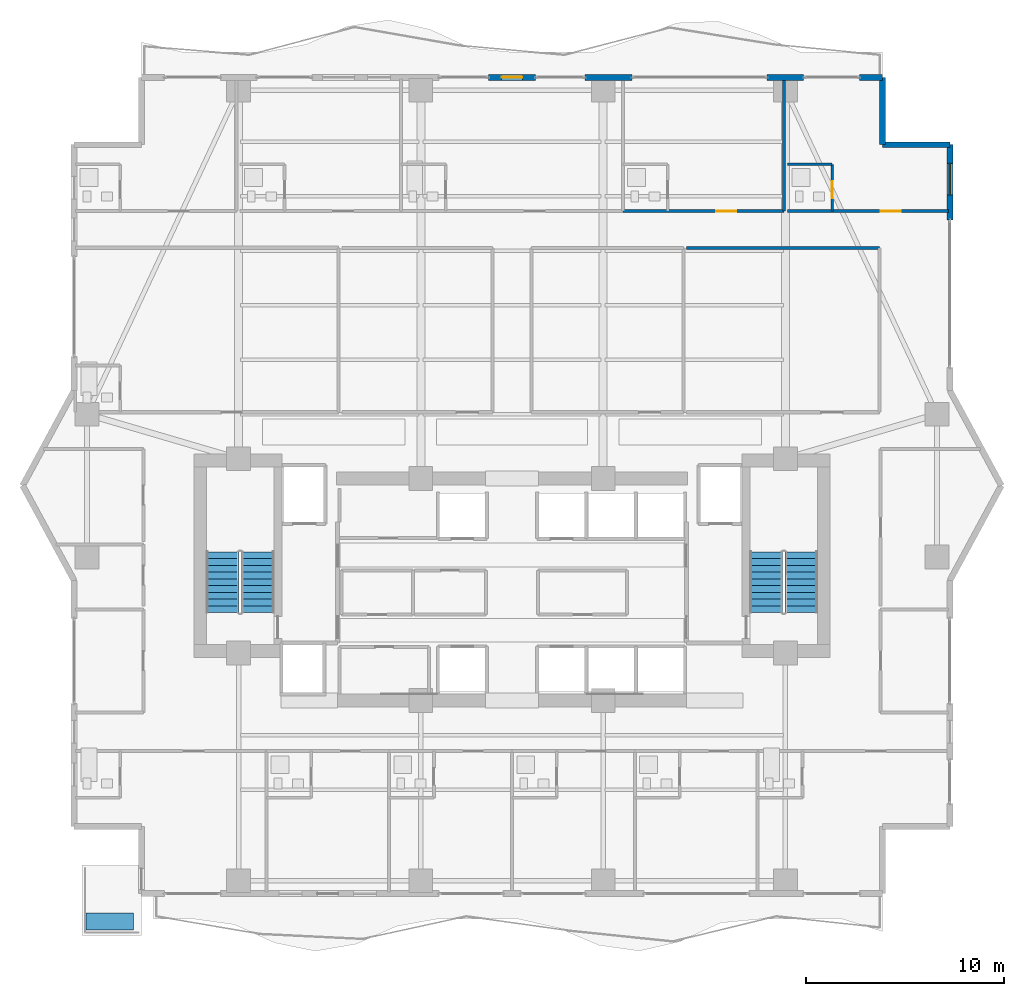
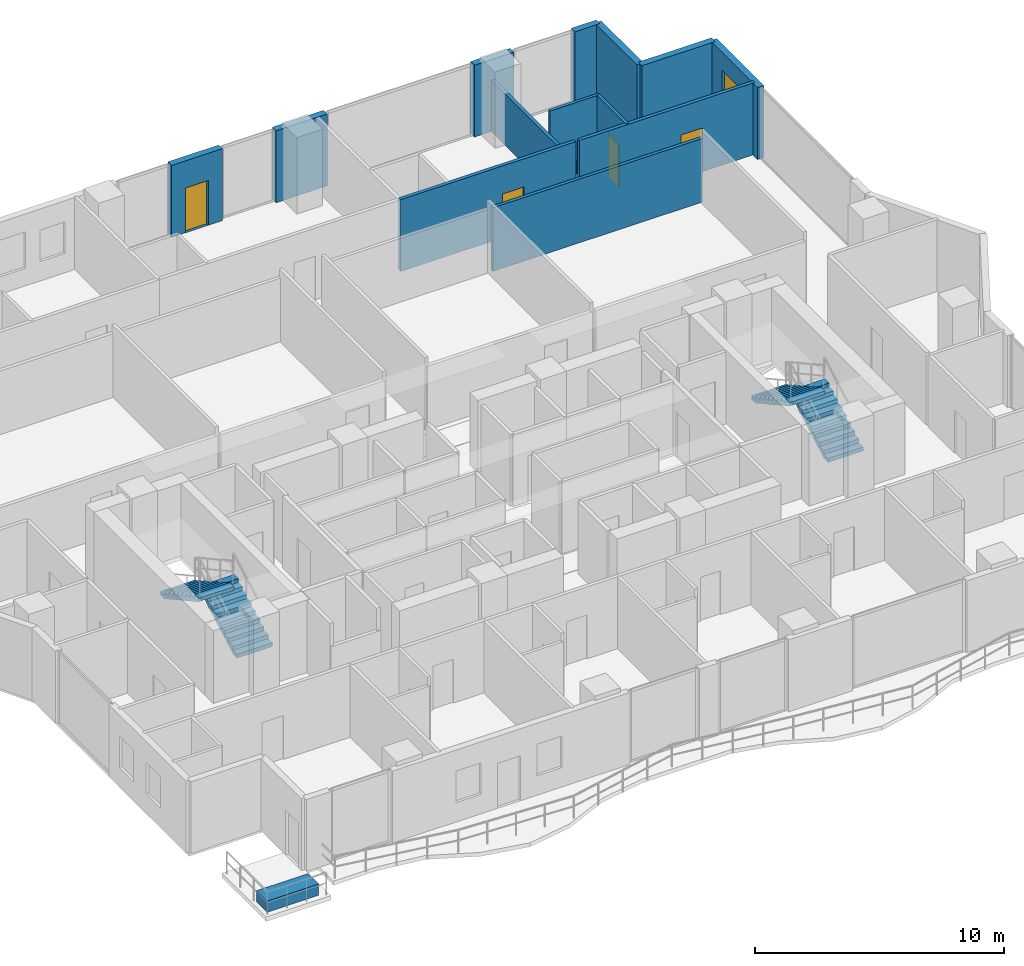
# One storey, part 28 of 32: 13 walls, 4 doors, 4 stair flights, 1 building element part, 1 window, 5 openings, 2 elements without a shape of their own.
"""IFC4 building model written with IfcOpenShell, lengths in metres."""

from ifc_helpers import new_model, si_unit, direction, frame, frame_2d, origin, origin_2d, place, context, subcontext, project, spatial, polyline, rectangle, outline, extrude, material, layer, layer_set, type_object, element, fill, aggregate, save


model = new_model("IFC4")

# Units and contexts
model_context = context("Model", 3, precision=1e-05, world=origin(), true_north=direction((0.0, 1.0)))
body_context = subcontext(model_context, "Body", "Model", "MODEL_VIEW")
ifc_project = project(units=[si_unit("LENGTHUNIT", "METRE"), si_unit("AREAUNIT", "SQUARE_METRE"), si_unit("VOLUMEUNIT", "CUBIC_METRE"), si_unit("PLANEANGLEUNIT", "RADIAN"), si_unit("MASSUNIT", "GRAM", prefix="KILO")], contexts=[model_context])

# Site, building, storey
site_placement = place(None, origin())
site = spatial("IfcSite", under=ifc_project, at=site_placement, CompositionType="ELEMENT")
building_placement = place(site_placement, origin())
building = spatial("IfcBuilding", under=site, at=building_placement, Name="Zuhayl Quay Hotel", CompositionType="ELEMENT")
storey_placement = place(building_placement, frame((0.0, 0.0, 188.64990234375)))
storey = spatial("IfcBuildingStorey", under=building, at=storey_placement, Name="L47", CompositionType="ELEMENT", Elevation=188.64990234375)

# Wall, opening, door
ifc_material_1 = material(Name="Precast concrete C45/55", Category="concrete")
ifc_layer_1 = layer(ifc_material_1, 0.300048828125, Name="Precast concrete C45/55", Category="concrete")
ifc_layer_set_1 = layer_set([ifc_layer_1], Name="Precast concrete C45/55")
wall_type_1 = type_object("IfcWallType", Name="WL_EXT_300", PredefinedType="STANDARD", material=ifc_layer_set_1)
wall_1_placement = place(storey_placement, frame((-1.175048828125, 33.60009765625, 0.0), z_axis=(0.0, 0.0, 1.0), x_axis=(1.0, 0.0, 0.0)))
wall_1 = element("IfcWall", 1, at=wall_1_placement, inside=storey, type_object=wall_type_1, Name="L47 Exterior Precast Wall ENV_L47_N_EW4", PredefinedType="STANDARD", context=body_context, shape_type="SweptSolid", body=[
    extrude(rectangle(XDim=2.35009765625, YDim=0.300048828125, at=frame_2d((1.175048828125, 0.0))), origin(), (0.0, 0.0, 1.0), 3.530029296875),
])
opening_1_placement = place(wall_1_placement, frame((0.64990234375, 0.0, 0.0)))
opening_1 = element("IfcOpeningElement", 2, at=opening_1_placement, cuts=wall_1, Name="Opening DG1", PredefinedType="OPENING", context=body_context, shape_type="SweptSolid", body=[
    extrude(rectangle(XDim=1.050048828125, YDim=2.199951171875, at=frame_2d((0.52490234375, 1.10009765625))), frame((0.0, 0.159912109375, 0.0), z_axis=(0.0, -1.0, 0.0), x_axis=(1.0, 0.0, 0.0)), (0.0, 0.0, 1.0), 0.320068359375),
])
ifc_material_2 = material(Name="Anodised Aluminium and Dark Solar Glass", Category="aluminium")
door_type_1 = type_object("IfcDoorType", Name="DR_EXT_TERR_1050", OperationType="NOTDEFINED", PredefinedType="DOOR", material=ifc_material_2)
door_1_placement = place(opening_1_placement, origin())
door_1 = element("IfcDoor", 3, at=door_1_placement, inside=storey, type_object=door_type_1, Name="L47 North Rippling Balcony Door", OperationType="SINGLE_SWING_LEFT", OverallHeight=2.199951171875, OverallWidth=1.050048828125, PredefinedType="DOOR", context=body_context, shape_type="SweptSolid", body=[
    extrude(rectangle(XDim=1.050048828125, YDim=2.199951171875, at=frame_2d((0.52490234375, 1.10009765625))), frame((0.0, 0.02490234375, 0.0), z_axis=(0.0, -1.0, 0.0), x_axis=(1.0, 0.0, 0.0)), (0.0, 0.0, 1.0), 0.050048828125),
])
fill(opening_1, door_1)

# Walls
wall_2_placement = place(storey_placement, frame((3.679931640625, 33.60009765625, 0.0), z_axis=(0.0, 0.0, 1.0), x_axis=(1.0, 0.0, 0.0)))
element("IfcWall", 4, at=wall_2_placement, inside=storey, type_object=wall_type_1, Name="L47 Exterior Precast Wall ENV_L47_N_EW5", PredefinedType="STANDARD", context=body_context, shape_type="SweptSolid", body=[
    extrude(rectangle(XDim=2.3701171875, YDim=0.300048828125, at=frame_2d((1.18505859375, 0.0))), origin(), (0.0, 0.0, 1.0), 3.530029296875),
])
wall_3_placement = place(storey_placement, frame((12.8798828125, 33.60009765625, 0.0), z_axis=(0.0, 0.0, 1.0), x_axis=(1.0, 0.0, 0.0)))
element("IfcWall", 5, at=wall_3_placement, inside=storey, type_object=wall_type_1, Name="L47 Exterior Precast Wall ENV_L47_N_EW6", PredefinedType="STANDARD", context=body_context, shape_type="SweptSolid", body=[
    extrude(rectangle(XDim=1.840087890625, YDim=0.300048828125, at=frame_2d((0.919921875, 0.0))), origin(), (0.0, 0.0, 1.0), 3.530029296875),
])
wall_4_placement = place(storey_placement, frame((17.550048828125, 33.60009765625, 0.0), z_axis=(0.0, 0.0, 1.0), x_axis=(1.0, 0.0, 0.0)))
element("IfcWall", 6, at=wall_4_placement, inside=storey, type_object=wall_type_1, Name="L47 Exterior Precast Wall ENV_L47_N_EW7", PredefinedType="STANDARD", context=body_context, shape_type="SweptSolid", body=[
    extrude(rectangle(XDim=1.14990234375, YDim=0.300048828125, at=frame_2d((0.574951171875, 0.0))), origin(), (0.0, 0.0, 1.0), 3.530029296875),
])
for number, where, z_axis, x_axis, name in (
    (7, (18.699951171875, 33.60009765625, 0.0), (0.0, 0.0, 1.0), (0.0, -1.0, 0.0), "L47 Exterior Precast Wall ENV_L47_EW09"),
    (8, (18.699951171875, 30.199951171875, 0.0), (0.0, 0.0, 1.0), (1.0, 0.0, 0.0), "L47 Exterior Precast Wall ENV_L47_EW10"),
):
    element("IfcWall", number, at=place(storey_placement, frame(where, z_axis=z_axis, x_axis=x_axis)), inside=storey, type_object=wall_type_1, Name=name, PredefinedType="STANDARD", context=body_context, shape_type="SweptSolid", body=[
        extrude(rectangle(XDim=3.400146484375, YDim=0.300048828125, at=frame_2d((1.7001953125, 0.0))), origin(), (0.0, 0.0, 1.0), 3.530029296875),
    ])

# Wall, opening, window
wall_5_placement = place(storey_placement, frame((22.10009765625, 30.199951171875, 0.0), z_axis=(0.0, 0.0, 1.0), x_axis=(0.0, -1.0, 0.0)))
wall_5 = element("IfcWall", 9, at=wall_5_placement, inside=storey, type_object=wall_type_1, Name="L47 Exterior Precast Wall ENV_L47_E11_EW1", PredefinedType="STANDARD", context=body_context, shape_type="SweptSolid", body=[
    extrude(rectangle(XDim=3.800048828125, YDim=0.300048828125, at=frame_2d((1.89990234375, 0.0))), origin(), (0.0, 0.0, 1.0), 3.530029296875),
])
opening_2_placement = place(wall_5_placement, frame((0.93505859375, 0.0, 0.85009765625)))
opening_2 = element("IfcOpeningElement", 10, at=opening_2_placement, cuts=wall_5, Name="Opening W01", PredefinedType="OPENING", context=body_context, shape_type="SweptSolid", body=[
    extrude(rectangle(XDim=1.60009765625, YDim=1.800048828125, at=frame_2d((0.800048828125, 0.89990234375))), frame((0.0, 0.159912109375, 0.0), z_axis=(0.0, -1.0, 0.0), x_axis=(1.0, 0.0, 0.0)), (0.0, 0.0, 1.0), 0.320068359375),
])
ifc_material_3 = material(Name="Dark Ceramic-Fritted Solar Glass", Category="glass")
window_type = type_object("IfcWindowType", Name="WN_OPERABLE_1600", PartitioningType="DOUBLE_PANEL_VERTICAL", PredefinedType="WINDOW", material=ifc_material_3)
window_placement = place(opening_2_placement, origin())
window = element("IfcWindow", 11, at=window_placement, inside=storey, type_object=window_type, Name="L47 Operable Facade Window 1-1", OverallHeight=1.800048828125, OverallWidth=1.60009765625, PartitioningType="SINGLE_PANEL", PredefinedType="WINDOW", context=body_context, shape_type="SweptSolid", body=[
    extrude(rectangle(XDim=1.60009765625, YDim=1.800048828125, at=frame_2d((0.800048828125, 0.89990234375))), frame((0.0, 0.030029296875, 0.0), z_axis=(0.0, -1.0, 0.0), x_axis=(1.0, 0.0, 0.0)), (0.0, 0.0, 1.0), 0.06005859375),
])
fill(opening_2, window)

# Walls
ifc_material_4 = material(Name="Acoustic Gypsum Partition STC-58")
ifc_layer_2 = layer(ifc_material_4, 0.14990234375, Name="Acoustic Gypsum Partition STC-58")
ifc_layer_set_2 = layer_set([ifc_layer_2], Name="Acoustic Gypsum Partition STC-58")
wall_type_2 = type_object("IfcWallType", Name="WL_PART_150", PredefinedType="PARTITIONING", material=ifc_layer_set_2)
wall_6_placement = place(storey_placement, frame((13.739990234375, 26.85009765625, 0.0), z_axis=(0.0, 0.0, 1.0), x_axis=(0.0, 1.0, 0.0)))
element("IfcWall", 12, at=wall_6_placement, inside=storey, type_object=wall_type_2, Name="L47 Partition IW_L47_NU03A_E", PredefinedType="PARTITIONING", context=body_context, shape_type="SweptSolid", body=[
    extrude(rectangle(XDim=6.669921875, YDim=0.14990234375, at=frame_2d((3.3349609375, 0.0))), origin(), (0.0, 0.0, 1.0), 2.51904296875),
])
wall_7_placement = place(storey_placement, frame((8.81005859375, 25.0, 0.0), z_axis=(0.0, 0.0, 1.0), x_axis=(1.0, 0.0, 0.0)))
element("IfcWall", 13, at=wall_7_placement, inside=storey, type_object=wall_type_2, Name="L47 Partition IW_L47_Z3_SAL_E2_N", PredefinedType="PARTITIONING", context=body_context, shape_type="SweptSolid", body=[
    extrude(rectangle(XDim=9.739990234375, YDim=0.14990234375, at=frame_2d((4.8701171875, 0.0))), origin(), (0.0, 0.0, 1.0), 3.1240234375),
])

# Wall, opening, door
ifc_layer_3 = layer(ifc_material_4, 0.159912109375, Name="Acoustic Gypsum Partition STC-58")
ifc_layer_set_3 = layer_set([ifc_layer_3], Name="Acoustic Gypsum Partition STC-58")
wall_type_3 = type_object("IfcWallType", Name="WL_PART_CORR_160", PredefinedType="PARTITIONING", material=ifc_layer_set_3)
wall_8_placement = place(storey_placement, frame((5.60009765625, 26.85009765625, 0.0), z_axis=(0.0, 0.0, 1.0), x_axis=(1.0, 0.0, 0.0)))
wall_8 = element("IfcWall", 14, at=wall_8_placement, inside=storey, type_object=wall_type_3, Name="L47 Partition IW_L47_NU03A_COR", PredefinedType="PARTITIONING", context=body_context, shape_type="SweptSolid", body=[
    extrude(rectangle(XDim=8.139892578125, YDim=0.159912109375, at=frame_2d((4.06982421875, 0.0))), origin(), (0.0, 0.0, 1.0), 3.530029296875),
])
opening_3_placement = place(wall_8_placement, frame((4.719970703125, 0.0, 0.0)))
opening_3 = element("IfcOpeningElement", 15, at=opening_3_placement, cuts=wall_8, Name="Opening D03L", PredefinedType="OPENING", context=body_context, shape_type="SweptSolid", body=[
    extrude(rectangle(XDim=1.0, YDim=2.14990234375, at=frame_2d((0.5, 1.074951171875))), frame((0.0, 0.08984375, 0.0), z_axis=(0.0, -1.0, 0.0), x_axis=(1.0, 0.0, 0.0)), (0.0, 0.0, 1.0), 0.179931640625),
])
ifc_material_5 = material(Name="Solid Walnut Acoustic Fire Door")
door_type_2 = type_object("IfcDoorType", Name="DR_SUITE_1000", OperationType="NOTDEFINED", PredefinedType="DOOR", material=ifc_material_5)
door_2_placement = place(opening_3_placement, origin())
door_2 = element("IfcDoor", 16, at=door_2_placement, inside=storey, type_object=door_type_2, Name="L47 Panoramic Gulf Suite L47-03A Entrance Door", OperationType="SINGLE_SWING_RIGHT", OverallHeight=2.14990234375, OverallWidth=1.0, PredefinedType="DOOR", context=body_context, shape_type="SweptSolid", body=[
    extrude(rectangle(XDim=1.0, YDim=2.14990234375, at=frame_2d((0.5, 1.074951171875))), frame((0.0, 0.02490234375, 0.0), z_axis=(0.0, -1.0, 0.0), x_axis=(1.0, 0.0, 0.0)), (0.0, 0.0, 1.0), 0.050048828125),
])
fill(opening_3, door_2)

wall_9_placement = place(storey_placement, frame((13.89990234375, 26.85009765625, 0.0), z_axis=(0.0, 0.0, 1.0), x_axis=(1.0, 0.0, 0.0)))
wall_9 = element("IfcWall", 17, at=wall_9_placement, inside=storey, type_object=wall_type_3, Name="L47 Partition IW_L47_NU03B_COR", PredefinedType="PARTITIONING", context=body_context, shape_type="SweptSolid", body=[
    extrude(rectangle(XDim=8.14013671875, YDim=0.159912109375, at=frame_2d((4.070068359375, 0.0))), origin(), (0.0, 0.0, 1.0), 3.530029296875),
])
opening_4_placement = place(wall_9_placement, frame((4.719970703125, 0.0, 0.0)))
opening_4 = element("IfcOpeningElement", 18, at=opening_4_placement, cuts=wall_9, Name="Opening D03L", PredefinedType="OPENING", context=body_context, shape_type="SweptSolid", body=[
    extrude(rectangle(XDim=1.0, YDim=2.14990234375, at=frame_2d((0.5, 1.074951171875))), frame((0.0, 0.08984375, 0.0), z_axis=(0.0, -1.0, 0.0), x_axis=(1.0, 0.0, 0.0)), (0.0, 0.0, 1.0), 0.179931640625),
])
door_3_placement = place(opening_4_placement, origin())
door_3 = element("IfcDoor", 19, at=door_3_placement, inside=storey, type_object=door_type_2, Name="L47 Panoramic Gulf Suite L47-03B Entrance Door", OperationType="SINGLE_SWING_RIGHT", OverallHeight=2.14990234375, OverallWidth=1.0, PredefinedType="DOOR", context=body_context, shape_type="SweptSolid", body=[
    extrude(rectangle(XDim=1.0, YDim=2.14990234375, at=frame_2d((0.5, 1.074951171875))), frame((0.0, 0.02490234375, 0.0), z_axis=(0.0, -1.0, 0.0), x_axis=(1.0, 0.0, 0.0)), (0.0, 0.0, 1.0), 0.050048828125),
])
fill(opening_4, door_3)

ifc_material_6 = material(Name="Moisture-Resistant Sanitarychase Gypsum")
ifc_layer_4 = layer(ifc_material_6, 0.135009765625, Name="Moisture-Resistant Sanitarychase Gypsum")
ifc_layer_set_4 = layer_set([ifc_layer_4], Name="Moisture-Resistant Sanitarychase Gypsum")
wall_type_4 = type_object("IfcWallType", Name="WL_PART_PLUMB_150", PredefinedType="PLUMBINGWALL", material=ifc_layer_set_4)
wall_10_placement = place(storey_placement, frame((16.159912109375, 26.85009765625, 0.0), z_axis=(0.0, 0.0, 1.0), x_axis=(0.0, 1.0, 0.0)))
wall_10 = element("IfcWall", 20, at=wall_10_placement, inside=storey, type_object=wall_type_4, Name="L47 Partition IW_L47_NU03B_BE", PredefinedType="PLUMBINGWALL", context=body_context, shape_type="SweptSolid", body=[
    extrude(rectangle(XDim=2.35986328125, YDim=0.135009765625, at=frame_2d((1.179931640625, 0.0))), origin(), (0.0, 0.0, 1.0), 3.530029296875),
])
opening_5_placement = place(wall_10_placement, frame((0.64990234375, 0.0, 0.0)))
opening_5 = element("IfcOpeningElement", 21, at=opening_5_placement, cuts=wall_10, Name="Opening D04", PredefinedType="OPENING", context=body_context, shape_type="SweptSolid", body=[
    extrude(rectangle(XDim=0.85009765625, YDim=2.10009765625, at=frame_2d((0.425048828125, 1.050048828125))), frame((0.0, 0.077392578125, 0.0), z_axis=(0.0, -1.0, 0.0), x_axis=(1.0, 0.0, 0.0)), (0.0, 0.0, 1.0), 0.155029296875),
])
ifc_material_7 = material(Name="Moisture-Resistant Walnut Veneer")
door_type_3 = type_object("IfcDoorType", Name="DR_BATH_850", OperationType="NOTDEFINED", PredefinedType="DOOR", material=ifc_material_7)
door_4_placement = place(opening_5_placement, origin())
door_4 = element("IfcDoor", 22, at=door_4_placement, inside=storey, type_object=door_type_3, Name="L47 Panoramic Gulf Suite L47-03B En-Suite Door", OperationType="SINGLE_SWING_LEFT", OverallHeight=2.10009765625, OverallWidth=0.85009765625, PredefinedType="DOOR", context=body_context, shape_type="SweptSolid", body=[
    extrude(rectangle(XDim=0.85009765625, YDim=2.10009765625, at=frame_2d((0.425048828125, 1.050048828125))), frame((0.0, 0.02490234375, 0.0), z_axis=(0.0, -1.0, 0.0), x_axis=(1.0, 0.0, 0.0)), (0.0, 0.0, 1.0), 0.050048828125),
])
fill(opening_5, door_4)

# Wall
wall_11_placement = place(storey_placement, frame((13.89990234375, 29.2099609375, 0.0), z_axis=(0.0, 0.0, 1.0), x_axis=(1.0, 0.0, 0.0)))
element("IfcWall", 23, at=wall_11_placement, inside=storey, type_object=wall_type_4, Name="L47 Partition IW_L47_NU03B_BN", PredefinedType="PLUMBINGWALL", context=body_context, shape_type="SweptSolid", body=[
    extrude(rectangle(XDim=2.260009765625, YDim=0.135009765625, at=frame_2d((1.1298828125, 0.0))), origin(), (0.0, 0.0, 1.0), 3.530029296875),
])

# Stair, stair flights
ifc_material_8 = material(Name="Concrete C45/55", Category="concrete")
stair_type = type_object("IfcStairType", Name="ST_DOGLEG_TOWER", PredefinedType="HALF_TURN_STAIR", material=ifc_material_8)
stair_1_placement = place(storey_placement, origin())
stair_1 = element("IfcStair", 24, at=stair_1_placement, inside=storey, type_object=stair_type, Name="L47 Smokeproof Exit Stair ST1", PredefinedType="HALF_TURN_STAIR")
ifc_layer_5 = layer(ifc_material_8, 0.159912109375, Name="Concrete C45/55", Category="concrete")
ifc_layer_set_5 = layer_set([ifc_layer_5], Name="Concrete C45/55")
stair_flight_type = type_object("IfcStairFlightType", Name="SF_CONC_164", PredefinedType="STRAIGHT", material=ifc_layer_set_5)
stair_flight_1_placement = place(storey_placement, frame((-12.820068359375, 6.590087890625, 0.0), z_axis=(0.0, 0.0, 1.0), x_axis=(0.0, 1.0, 0.0)))
stair_flight_1 = element("IfcStairFlight", 25, at=stair_flight_1_placement, type_object=stair_flight_type, Name="ST1 flight 1", NumberOfRisers=10, NumberOfTreads=9, PredefinedType="STRAIGHT", RiserHeight=0.1875, TreadLength=0.34, context=body_context, shape_type="SweptSolid", body=[
    extrude(outline(polyline([(0.0, 0.0), (0.0, 0.1875), (0.340087890625, 0.1875), (0.340087890625, 0.375), (0.679931640625, 0.375), (0.679931640625, 0.5625), (1.02001953125, 0.5625), (1.02001953125, 0.75), (1.360107421875, 0.75), (1.360107421875, 0.9375), (1.699951171875, 0.9375), (1.699951171875, 1.125), (2.0400390625, 1.125), (2.0400390625, 1.3125), (2.3798828125, 1.3125), (2.3798828125, 1.5), (2.719970703125, 1.5), (2.719970703125, 1.6875), (3.06005859375, 1.6875), (3.06005859375, 1.875), (3.06005859375, 1.516357421875), (0.310302734375, 0.0), (0.0, 0.0)])), frame((0.0, 0.81982421875, 0.0), z_axis=(0.0, -1.0, 0.0), x_axis=(1.0, 0.0, 0.0)), (0.0, 0.0, 1.0), 1.639892578125),
])
stair_flight_2_placement = place(storey_placement, frame((-14.610107421875, 9.64990234375, 1.875), z_axis=(0.0, 0.0, 1.0), x_axis=(0.0, -1.0, 0.0)))
stair_flight_2 = element("IfcStairFlight", 26, at=stair_flight_2_placement, type_object=stair_flight_type, Name="ST1 flight 2", NumberOfRisers=10, NumberOfTreads=9, PredefinedType="STRAIGHT", RiserHeight=0.1875, TreadLength=0.34, context=body_context, shape_type="SweptSolid", body=[
    extrude(outline(polyline([(0.0, 0.0), (0.0, 0.1875), (0.340087890625, 0.1875), (0.340087890625, 0.375), (0.679931640625, 0.375), (0.679931640625, 0.5625), (1.02001953125, 0.5625), (1.02001953125, 0.75), (1.360107421875, 0.75), (1.360107421875, 0.9375), (1.699951171875, 0.9375), (1.699951171875, 1.125), (2.0400390625, 1.125), (2.0400390625, 1.3125), (2.3798828125, 1.3125), (2.3798828125, 1.5), (2.719970703125, 1.5), (2.719970703125, 1.6875), (3.06005859375, 1.6875), (3.06005859375, 1.875), (3.06005859375, 1.516357421875), (0.310302734375, 0.0), (0.0, 0.0)])), frame((0.0, 0.81982421875, 0.0), z_axis=(0.0, -1.0, 0.0), x_axis=(1.0, 0.0, 0.0)), (0.0, 0.0, 1.0), 1.639892578125),
])
aggregate(stair_1, [stair_flight_1, stair_flight_2])

stair_2_placement = place(storey_placement, origin())
stair_2 = element("IfcStair", 27, at=stair_2_placement, inside=storey, type_object=stair_type, Name="L47 Smokeproof Exit Stair ST2", PredefinedType="HALF_TURN_STAIR")
stair_flight_3_placement = place(storey_placement, frame((14.610107421875, 6.590087890625, 0.0), z_axis=(0.0, 0.0, 1.0), x_axis=(0.0, 1.0, 0.0)))
stair_flight_3 = element("IfcStairFlight", 28, at=stair_flight_3_placement, type_object=stair_flight_type, Name="ST2 flight 1", NumberOfRisers=10, NumberOfTreads=9, PredefinedType="STRAIGHT", RiserHeight=0.1875, TreadLength=0.34, context=body_context, shape_type="SweptSolid", body=[
    extrude(outline(polyline([(0.0, 0.0), (0.0, 0.1875), (0.340087890625, 0.1875), (0.340087890625, 0.375), (0.679931640625, 0.375), (0.679931640625, 0.5625), (1.02001953125, 0.5625), (1.02001953125, 0.75), (1.360107421875, 0.75), (1.360107421875, 0.9375), (1.699951171875, 0.9375), (1.699951171875, 1.125), (2.0400390625, 1.125), (2.0400390625, 1.3125), (2.3798828125, 1.3125), (2.3798828125, 1.5), (2.719970703125, 1.5), (2.719970703125, 1.6875), (3.06005859375, 1.6875), (3.06005859375, 1.875), (3.06005859375, 1.516357421875), (0.310302734375, 0.0), (0.0, 0.0)])), frame((0.0, 0.81982421875, 0.0), z_axis=(0.0, -1.0, 0.0), x_axis=(1.0, 0.0, 0.0)), (0.0, 0.0, 1.0), 1.639892578125),
])
stair_flight_4_placement = place(storey_placement, frame((12.820068359375, 9.64990234375, 1.875), z_axis=(0.0, 0.0, 1.0), x_axis=(0.0, -1.0, 0.0)))
stair_flight_4 = element("IfcStairFlight", 29, at=stair_flight_4_placement, type_object=stair_flight_type, Name="ST2 flight 2", NumberOfRisers=10, NumberOfTreads=9, PredefinedType="STRAIGHT", RiserHeight=0.1875, TreadLength=0.34, context=body_context, shape_type="SweptSolid", body=[
    extrude(outline(polyline([(0.0, 0.0), (0.0, 0.1875), (0.340087890625, 0.1875), (0.340087890625, 0.375), (0.679931640625, 0.375), (0.679931640625, 0.5625), (1.02001953125, 0.5625), (1.02001953125, 0.75), (1.360107421875, 0.75), (1.360107421875, 0.9375), (1.699951171875, 0.9375), (1.699951171875, 1.125), (2.0400390625, 1.125), (2.0400390625, 1.3125), (2.3798828125, 1.3125), (2.3798828125, 1.5), (2.719970703125, 1.5), (2.719970703125, 1.6875), (3.06005859375, 1.6875), (3.06005859375, 1.875), (3.06005859375, 1.516357421875), (0.310302734375, 0.0), (0.0, 0.0)])), frame((0.0, 0.81982421875, 0.0), z_axis=(0.0, -1.0, 0.0), x_axis=(1.0, 0.0, 0.0)), (0.0, 0.0, 1.0), 1.639892578125),
])
aggregate(stair_2, [stair_flight_3, stair_flight_4])

# Building element part
ifc_layer_6 = layer(ifc_material_1, 0.550048828125, Name="Precast concrete C45/55", Category="concrete")
ifc_layer_set_6 = layer_set([ifc_layer_6], Name="Precast concrete C45/55")
building_element_part_type = type_object("IfcBuildingElementPartType", Name="PT_PLANTER_KERB", PredefinedType="PRECASTPANEL", material=ifc_layer_set_6)
building_element_part_placement = place(storey_placement, frame((-20.31005859375, -9.010009765625, 0.0), z_axis=(0.0, 0.0, 1.0), x_axis=(1.0, 0.0, 0.0)))
element("IfcBuildingElementPart", 30, at=building_element_part_placement, inside=storey, type_object=building_element_part_type, Name="L47 Spiral Sky-Terrace Planter Box SW", PredefinedType="PRECASTPANEL", context=body_context, shape_type="SweptSolid", body=[
    extrude(rectangle(XDim=2.39990234375, YDim=0.85009765625, at=origin_2d()), origin(), (0.0, 0.0, 1.0), 0.550048828125),
])

save(model, "model.ifc")
